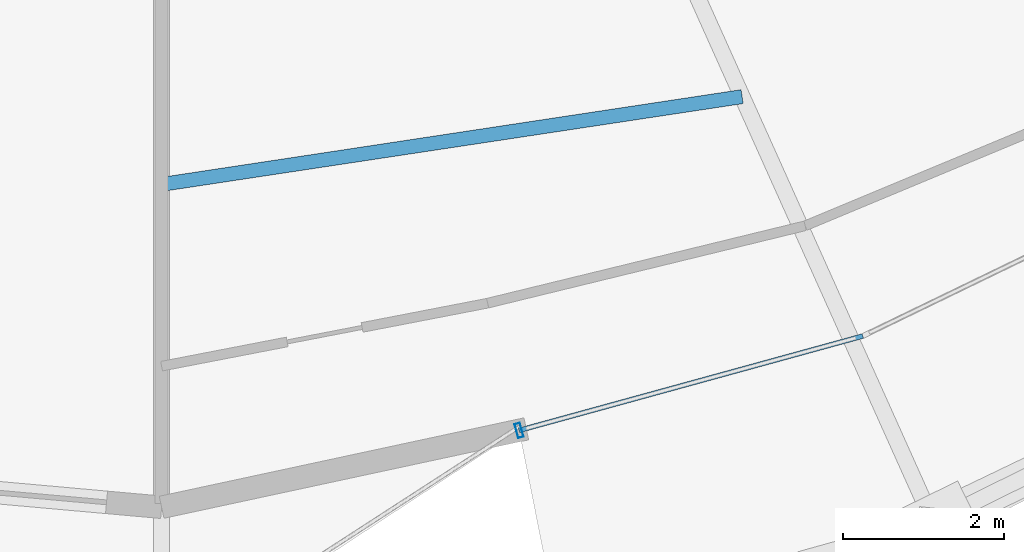
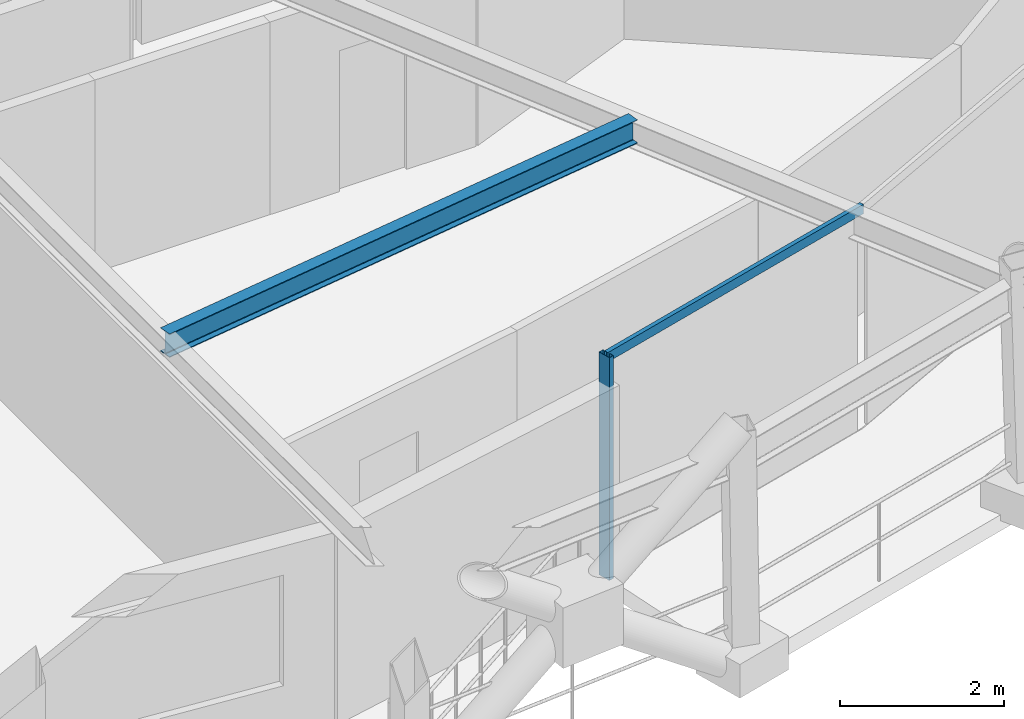
# One storey, part 2 of 18: 2 members, 1 beam, 1 element without a shape of its own.
"""IFC4 building model written with IfcOpenShell, lengths in metres."""

import ifcopenshell
import ifcopenshell.guid

model = None  # the IFC model being written
_history = None  # IfcOwnerHistory: only IFC2X3 demands one
_inside = {}  # id of a spatial element -> (the spatial element, [elements in it])
_under = {}  # id of a project, library or spatial element -> (it, [spatial elements below it])
_declared = {}  # id of a project -> (the project, [libraries it declares])
_typed = {}  # id of a type object -> (the type object, [elements of that type])
_made_of = {}  # id of a material, layer set ... -> (it, [elements and type objects made of it])


def new_model(schema):
    """Start an empty IFC model of exactly this schema.

    Asked for "IFC4X3", IfcOpenShell would pick the latest addendum, in which some entities
    have other attributes; the version numbers below select the first issue.
    IFC2X3 requires an IfcOwnerHistory on every rooted entity: one is made here for all.
    """
    global model, _history
    if schema == "IFC4X3":
        model = ifcopenshell.file(schema_version=(4, 3, 0, 0))
    else:
        model = ifcopenshell.file(schema=schema)
    _inside.clear()
    _under.clear()
    _declared.clear()
    _typed.clear()
    _made_of.clear()
    _history = None
    if model.schema == "IFC2X3":
        org = make("IfcOrganization", Name="unknown")
        user = make(
            "IfcPersonAndOrganization",
            ThePerson=make("IfcPerson", FamilyName="unknown"),
            TheOrganization=org,
        )
        app = make(
            "IfcApplication",
            ApplicationDeveloper=org,
            Version="unknown",
            ApplicationFullName="unknown",
            ApplicationIdentifier="unknown",
        )
        _history = make(
            "IfcOwnerHistory",
            OwningUser=user,
            OwningApplication=app,
            ChangeAction="ADDED",
            CreationDate=0,
        )
    return model


def make(cls, **values):
    """One entity of the class cls with the attributes given. An attribute that is None is left unset."""
    return model.create_entity(
        cls, **{name: value for name, value in values.items() if value is not None}
    )


def rooted(cls, **values):
    """An entity with a GlobalId (a new one), such as an element, a storey or a relation."""
    return make(cls, GlobalId=ifcopenshell.guid.new(), OwnerHistory=_history, **values)


def si_unit(unit_type, name, prefix=None):
    """IfcSIUnit, for example si_unit("LENGTHUNIT", "METRE", prefix="MILLI")."""
    return make("IfcSIUnit", UnitType=unit_type, Prefix=prefix, Name=name)


def assignment(units):
    """IfcUnitAssignment: the units of a project."""
    return None if units is None else make("IfcUnitAssignment", Units=units)


def point(xyz):
    """IfcCartesianPoint."""
    return None if xyz is None else make("IfcCartesianPoint", Coordinates=xyz)


def direction(xyz):
    """IfcDirection."""
    return None if xyz is None else make("IfcDirection", DirectionRatios=xyz)


def frame(location, z_axis=None, x_axis=None):
    """IfcAxis2Placement3D, a coordinate frame: its origin and axes. An axis left out is left unset."""
    return make(
        "IfcAxis2Placement3D",
        Location=point(location),
        Axis=direction(z_axis),
        RefDirection=direction(x_axis),
    )


def frame_2d(location, x_axis=None):
    """IfcAxis2Placement2D, a coordinate frame in the plane: its origin and x axis."""
    return make(
        "IfcAxis2Placement2D", Location=point(location), RefDirection=direction(x_axis)
    )


def origin():
    """The frame at (0, 0, 0) with its axes left unset."""
    return frame((0.0, 0.0, 0.0))


def origin_2d():
    """The frame at (0, 0) in the plane with its x axis left unset."""
    return frame_2d((0.0, 0.0))


def place(relative_to, where):
    """IfcLocalPlacement: puts the frame where relative to a parent placement (None: the world)."""
    return make(
        "IfcLocalPlacement", PlacementRelTo=relative_to, RelativePlacement=where
    )


def context(
    kind, dimensions, precision=None, world=None, true_north=None, identifier=None
):
    """IfcGeometricRepresentationContext, for example the 3D "Model" context."""
    return make(
        "IfcGeometricRepresentationContext",
        ContextIdentifier=identifier,
        ContextType=kind,
        CoordinateSpaceDimension=dimensions,
        Precision=precision,
        WorldCoordinateSystem=world,
        TrueNorth=true_north,
    )


def subcontext(parent, identifier, kind, view, scale=None):
    """IfcGeometricRepresentationSubContext, for example "Body" below "Model"."""
    return make(
        "IfcGeometricRepresentationSubContext",
        ContextIdentifier=identifier,
        ContextType=kind,
        ParentContext=parent,
        TargetScale=scale,
        TargetView=view,
    )


def project(units=None, contexts=None):
    """IfcProject with its units and contexts."""
    return rooted(
        "IfcProject",
        Name="project",
        RepresentationContexts=contexts,
        UnitsInContext=assignment(units),
    )


def spatial(cls, under=None, at=None, **own):
    """A site, building, storey or space (cls), placed at a placement, below another one or the project."""
    s = rooted(cls, ObjectPlacement=at, **own)
    if under is not None:
        _under.setdefault(under.id(), (under, []))[1].append(s)
    return s


def profile(cls, at=None, kind="AREA", **sizes):
    """A parametric profile (cls). Its sizes go by their IFC names, for example OverallWidth=200.0."""
    return make(cls, ProfileType=kind, Position=at, **sizes)


def hollow_rectangle(**sizes):
    """IfcRectangleHollowProfileDef."""
    return profile("IfcRectangleHollowProfileDef", **sizes)


def i_section(**sizes):
    """IfcIShapeProfileDef."""
    return profile("IfcIShapeProfileDef", **sizes)


def extrude(swept, where, along, depth):
    """IfcExtrudedAreaSolid: the profile swept, set in the frame where, extruded along a direction by depth."""
    return make(
        "IfcExtrudedAreaSolid",
        SweptArea=swept,
        Position=where,
        ExtrudedDirection=direction(along),
        Depth=depth,
    )


def shape(context_of_items, identifier, shape_type, items):
    """IfcShapeRepresentation: the items that make up one representation, for example the "Body"."""
    return make(
        "IfcShapeRepresentation",
        ContextOfItems=context_of_items,
        RepresentationIdentifier=identifier,
        RepresentationType=shape_type,
        Items=items,
    )


def material(Name=None, Category=None):
    """IfcMaterial."""
    return make("IfcMaterial", Name=Name, Category=Category)


def layer(
    of_material, thickness, ventilated=None, Name=None, Category=None, Priority=None
):
    """IfcMaterialLayer: one layer of a wall or slab, of a material (None: an air gap)."""
    return make(
        "IfcMaterialLayer",
        Material=of_material,
        LayerThickness=thickness,
        IsVentilated=ventilated,
        Name=Name,
        Category=Category,
        Priority=Priority,
    )


def layer_set(layers, Name=None):
    """IfcMaterialLayerSet."""
    return make("IfcMaterialLayerSet", MaterialLayers=layers, LayerSetName=Name)


def material_profile(
    of_material, cross_section, Name=None, Category=None, Priority=None
):
    """IfcMaterialProfile: a cross section and its material."""
    return make(
        "IfcMaterialProfile",
        Name=Name,
        Material=of_material,
        Profile=cross_section,
        Priority=Priority,
        Category=Category,
    )


def profile_set(profiles, Name=None, composite=None):
    """IfcMaterialProfileSet."""
    return make(
        "IfcMaterialProfileSet",
        Name=Name,
        MaterialProfiles=profiles,
        CompositeProfile=composite,
    )


def made_of(thing, what):
    """Note that an element or type object is made of a material, layer set ...; save() writes the relation."""
    if what is not None:
        _made_of.setdefault(what.id(), (what, []))[1].append(thing)
    return thing


def type_object(cls, material=None, **own):
    """A type object (cls), such as IfcWallType, which elements share."""
    return made_of(rooted(cls, **own), material)


def element(
    cls,
    number,
    at=None,
    inside=None,
    cuts=None,
    type_object=None,
    material=None,
    context=None,
    identifier="Body",
    shape_type=None,
    held_by="IfcProductDefinitionShape",
    body=None,
    shapes=None,
    **own,
):
    """One element of the class cls, such as IfcWall. Its Tag is "e" and its number.

    at: its placement. inside: the storey or other place that contains it. cuts: it is an
    opening in that element (IfcRelVoidsElement). A single representation is given by context,
    identifier, shape_type and body (its items); several are given by shapes. held_by: the class
    of the entity that holds the representations. save() writes the other relations.
    """
    e = rooted(cls, Tag="e%d" % number, ObjectPlacement=at, **own)
    if body is not None:
        shapes = [shape(context, identifier, shape_type, body)]
    if shapes is not None:
        e.Representation = make(held_by, Representations=shapes)
    if inside is not None:
        _inside.setdefault(inside.id(), (inside, []))[1].append(e)
    if cuts is not None:
        rooted(
            "IfcRelVoidsElement", RelatingBuildingElement=cuts, RelatedOpeningElement=e
        )
    if type_object is not None:
        _typed.setdefault(type_object.id(), (type_object, []))[1].append(e)
    return made_of(e, material)


def aggregate(whole, parts):
    """IfcRelAggregates: a whole, such as a stair, and the parts it consists of."""
    return rooted("IfcRelAggregates", RelatingObject=whole, RelatedObjects=parts)


def save(model, path):
    """Write the relations noted so far, then the file.

    IfcRelAggregates (storeys below a building ...), IfcRelContainedInSpatialStructure (elements
    in a storey), IfcRelDefinesByType, IfcRelAssociatesMaterial and IfcRelDeclares: one each for
    every whole, place, type object, material and project.
    """
    for whole, parts in _under.values():
        aggregate(whole, parts)
    for where, things in _inside.values():
        rooted(
            "IfcRelContainedInSpatialStructure",
            RelatedElements=things,
            RelatingStructure=where,
        )
    for kind, things in _typed.values():
        rooted("IfcRelDefinesByType", RelatedObjects=things, RelatingType=kind)
    for what, things in _made_of.values():
        rooted("IfcRelAssociatesMaterial", RelatedObjects=things, RelatingMaterial=what)
    for by, libraries in _declared.values():
        rooted("IfcRelDeclares", RelatingContext=by, RelatedDefinitions=libraries)
    model.write(path)


model = new_model("IFC4")

# Units and contexts
model_context = context("Model", 3, precision=1e-05, world=origin(), true_north=direction((0.0, 1.0)))
body_context = subcontext(model_context, "Body", "Model", "MODEL_VIEW")
ifc_project = project(units=[si_unit("LENGTHUNIT", "METRE"), si_unit("AREAUNIT", "SQUARE_METRE"), si_unit("VOLUMEUNIT", "CUBIC_METRE"), si_unit("PLANEANGLEUNIT", "RADIAN"), si_unit("MASSUNIT", "GRAM", prefix="KILO")], contexts=[model_context])

# Site, building, storey
site_placement = place(None, origin())
site = spatial("IfcSite", under=ifc_project, at=site_placement, CompositionType="ELEMENT")
building_placement = place(site_placement, origin())
building = spatial("IfcBuilding", under=site, at=building_placement, Name="Veldorina Hangang Commons", CompositionType="ELEMENT")
storey_placement = place(building_placement, frame((0.0, 0.0, 218.39990234375)))
storey = spatial("IfcBuildingStorey", under=building, at=storey_placement, Name="L56", CompositionType="ELEMENT", Elevation=218.39990234375)

# Beam
ifc_material_1 = material(Name="Steel SM355-TMC", Category="steel")
ifc_material_profile_1 = material_profile(ifc_material_1, i_section(OverallWidth=0.175048828125, OverallDepth=0.35009765625, WebThickness=0.007080078125, FlangeThickness=0.010986328125, FilletRadius=0.012939453125, at=origin_2d()), Name="H-350x175x7x11")
ifc_profile_set_1 = profile_set([ifc_material_profile_1], Name="Steel SM355-TMC")
beam_type = type_object("IfcBeamType", Name="BM-JST350", PredefinedType="JOIST", material=ifc_profile_set_1)
beam_placement = place(storey_placement, frame((32.0, 6.812255859375, 3.18505859375), z_axis=(0.988758494283, 0.149521369655, 0.0), x_axis=(-0.149521369655, 0.988758494283, 0.0)))
element("IfcBeam", 1, at=beam_placement, inside=storey, type_object=beam_type, Name="L56 secondary floor joist 13", PredefinedType="JOIST", context=body_context, shape_type="SweptSolid", body=[
    extrude(i_section(OverallWidth=0.175048828125, OverallDepth=0.35009765625, WebThickness=0.007080078125, FlangeThickness=0.010986328125, FilletRadius=0.012939453125, at=origin_2d()), origin(), (0.0, 0.0, 1.0), 7.30859375),
])

# Curtain wall, members
ifc_material_2 = material(Name="Glass Low-E Selective", Category="glass")
ifc_layer = layer(ifc_material_2, 0.179931640625)
ifc_layer_set = layer_set([ifc_layer], Name="Glass Low-E Selective")
curtain_wall_type = type_object("IfcCurtainWallType", Name="CW-SYS-Z3", PredefinedType="NOTDEFINED", material=ifc_layer_set)
curtain_wall_placement = place(storey_placement, origin())
curtain_wall = element("IfcCurtainWall", 2, at=curtain_wall_placement, inside=storey, type_object=curtain_wall_type, Name="L56 unitised curtain wall CW-L56-R1", PredefinedType="NOTDEFINED")
ifc_material_3 = material(Name="Aluminium Anodized AA6063-T6", Category="aluminium")
ifc_material_profile_2 = material_profile(ifc_material_3, hollow_rectangle(XDim=0.070068359375, YDim=0.179931640625, WallThickness=0.00390625, at=origin_2d()), Name="ALU-RHS-180x70x4")
ifc_profile_set_2 = profile_set([ifc_material_profile_2], Name="Aluminium Anodized AA6063-T6")
member_type_1 = type_object("IfcMemberType", Name="CW-MUL-180", PredefinedType="MULLION", material=ifc_profile_set_2)
member_1_placement = place(storey_placement, frame((36.44970703125, 3.75, 0.0), z_axis=(0.0, 0.0, 1.0), x_axis=(0.964303674148, 0.264798836901, 0.0)))
member_1 = element("IfcMember", 3, at=member_1_placement, type_object=member_type_1, Name="CW-L56-R1 vertical mullion 1", PredefinedType="MULLION", context=body_context, shape_type="SweptSolid", body=[
    extrude(hollow_rectangle(XDim=0.070068359375, YDim=0.179931640625, WallThickness=0.00390625, at=origin_2d()), origin(), (0.0, 0.0, 1.0), 3.320068359375),
])
ifc_material_profile_3 = material_profile(ifc_material_3, hollow_rectangle(XDim=0.06005859375, YDim=0.139892578125, WallThickness=0.00341796875, at=origin_2d()), Name="ALU-RHS-140x60x3.5")
ifc_profile_set_3 = profile_set([ifc_material_profile_3], Name="Aluminium Anodized AA6063-T6")
member_type_2 = type_object("IfcMemberType", Name="CW-TRN-140", PredefinedType="USERDEFINED", material=ifc_profile_set_3)
member_2_placement = place(storey_placement, frame((36.44970703125, 3.75, 3.280029296875), z_axis=(0.964312927307, 0.264765137864, 0.0), x_axis=(-0.264765137864, 0.964312927307, 0.0)))
member_2 = element("IfcMember", 4, at=member_2_placement, type_object=member_type_2, Name="CW-L56-R1 facet 1 transom 1", ObjectType="TRANSOM", PredefinedType="USERDEFINED", context=body_context, shape_type="SweptSolid", body=[
    extrude(hollow_rectangle(XDim=0.06005859375, YDim=0.139892578125, WallThickness=0.00341796875, at=origin_2d()), origin(), (0.0, 0.0, 1.0), 4.437255859375),
])
aggregate(curtain_wall, [member_1, member_2])

save(model, "model.ifc")
